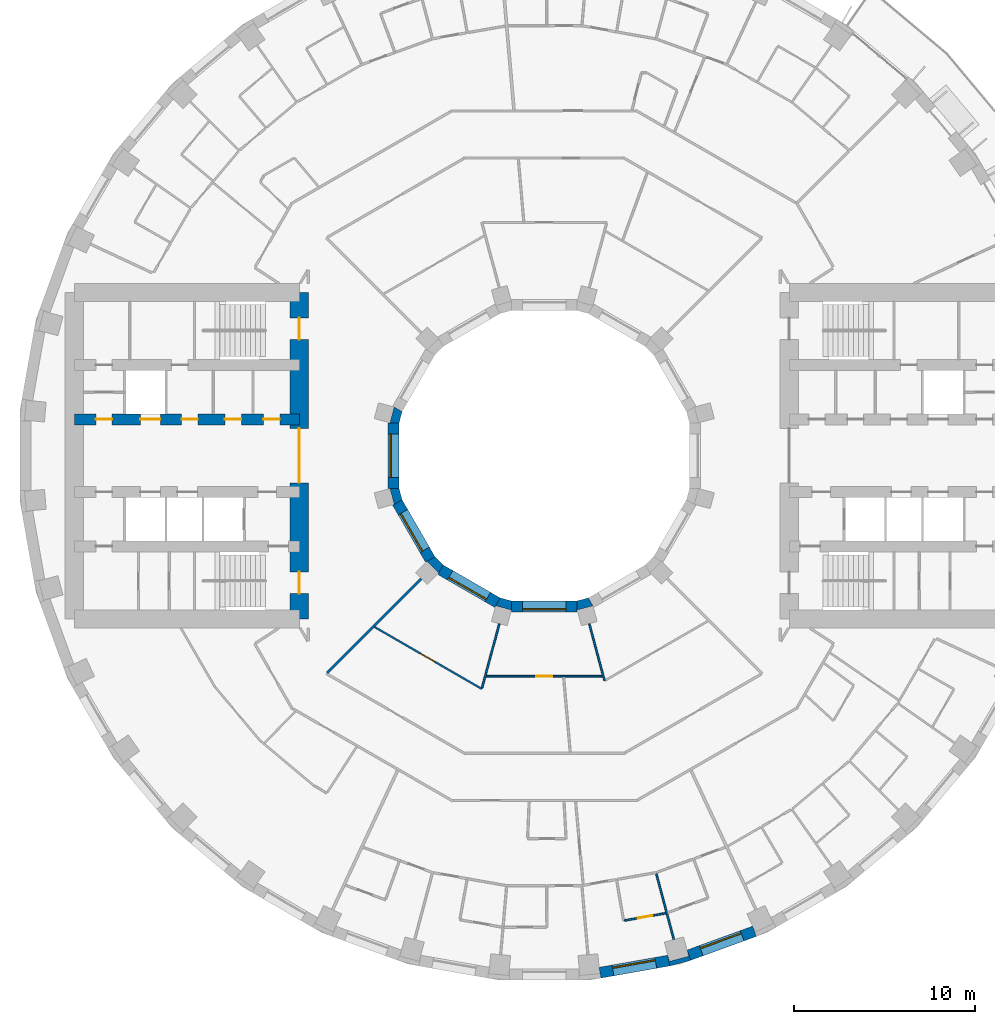
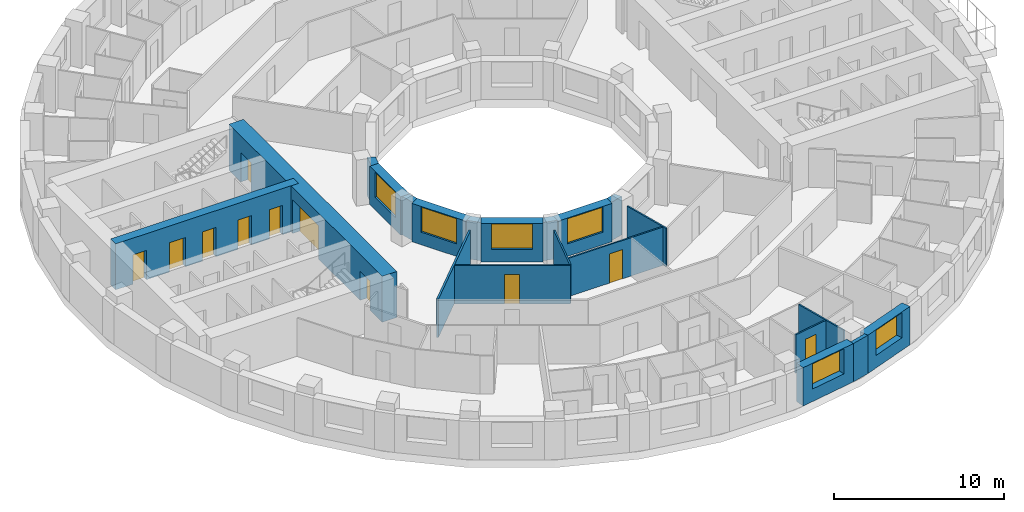
# One storey, part 6 of 15: 21 walls, 11 doors, 6 windows, 17 openings.
"""IFC4 building model written with IfcOpenShell, lengths in metres."""

from ifc_helpers import new_model, si_unit, direction, frame, frame_2d, origin, place, context, subcontext, project, spatial, polyline, rectangle, outline, extrude, material, layer, layer_set, type_object, element, fill, save


model = new_model("IFC4")

# Units and contexts
model_context = context("Model", 3, precision=1e-05, world=origin(), true_north=direction((0.0, 1.0)))
body_context = subcontext(model_context, "Body", "Model", "MODEL_VIEW")
ifc_project = project(units=[si_unit("LENGTHUNIT", "METRE"), si_unit("AREAUNIT", "SQUARE_METRE"), si_unit("VOLUMEUNIT", "CUBIC_METRE"), si_unit("PLANEANGLEUNIT", "RADIAN"), si_unit("MASSUNIT", "GRAM", prefix="KILO")], contexts=[model_context])

# Site, building, storey
site_placement = place(None, origin())
site = spatial("IfcSite", under=ifc_project, at=site_placement, CompositionType="ELEMENT")
building_placement = place(site_placement, origin())
building = spatial("IfcBuilding", under=site, at=building_placement, Name="Saqina Gate Tower", CompositionType="ELEMENT")
storey_placement = place(building_placement, frame((0.0, 0.0, 62.60009765625)))
storey = spatial("IfcBuildingStorey", under=building, at=storey_placement, Name="L17", CompositionType="ELEMENT", Elevation=62.60009765625)

# Wall
ifc_material_1 = material(Name="Brick masonry (red)", Category="masonry")
wall_type_1 = type_object("IfcWallType", Name="BRICK PIER COPING RED", PredefinedType="SOLIDWALL", material=ifc_material_1)
wall_1_placement = place(storey_placement, origin())
element("IfcWall", 1, at=wall_1_placement, inside=storey, type_object=wall_type_1, Name="Pier cap L17 column 29", PredefinedType="SOLIDWALL", context=body_context, shape_type="SweptSolid", body=[
    extrude(outline(polyline([(6.910400390625, -28.11669921875), (8.073974609375, -27.80517578125), (7.86865234375, -27.2412109375), (7.95947265625, -27.57958984375), (6.896728515625, -27.864501953125), (6.80615234375, -27.52587890625), (6.910400390625, -28.11669921875)])), origin(), (0.0, 0.0, 1.0), 2.75),
])

# Wall, opening, window
ifc_material_2 = material(Name="Brick masonry (red)", Category="masonry")
ifc_layer_1 = layer(ifc_material_2, 0.60009765625)
ifc_layer_set_1 = layer_set([ifc_layer_1], Name="FW-BRICK-RED")
wall_type_2 = type_object("IfcWallType", Name="FW-BRICK-RED", PredefinedType="SOLIDWALL", material=ifc_layer_set_1)
wall_2_placement = place(storey_placement, frame((3.07080078125, -28.4892578125, 0.0), z_axis=(0.0, 0.0, 1.0), x_axis=(0.984800809218, 0.173687553279, 0.0)))
wall_2 = element("IfcWall", 2, at=wall_2_placement, inside=storey, type_object=wall_type_2, Name="Facade wall L17 facet 28", PredefinedType="SOLIDWALL", context=body_context, shape_type="SweptSolid", body=[
    extrude(rectangle(XDim=3.845703125, YDim=0.60009765625, at=frame_2d((1.9228515625, 0.0))), origin(), (0.0, 0.0, 1.0), 2.75),
])
opening_1_placement = place(wall_2_placement, frame((0.722900390625, 0.0, 0.89990234375)))
opening_1 = element("IfcOpeningElement", 3, at=opening_1_placement, cuts=wall_2, Name="Opening G04-W18", PredefinedType="OPENING", context=body_context, shape_type="SweptSolid", body=[
    extrude(rectangle(XDim=2.39990234375, YDim=1.800048828125, at=frame_2d((1.199951171875, 0.89990234375))), frame((0.0, 0.31201171875, 0.0), z_axis=(0.0, -1.0, 0.0), x_axis=(1.0, 0.0, 0.0)), (0.0, 0.0, 1.0), 0.6240234375),
])
ifc_material_3 = material(Name="Aluminium glazing", Category="aluminium")
window_type_1 = type_object("IfcWindowType", Name="WN-A", PartitioningType="SINGLE_PANEL", PredefinedType="WINDOW", material=ifc_material_3)
window_1_placement = place(opening_1_placement, origin())
window_1 = element("IfcWindow", 4, at=window_1_placement, inside=storey, type_object=window_type_1, Name="Window L17 facet 28", OverallHeight=1.800048828125, OverallWidth=2.39990234375, PartitioningType="SINGLE_PANEL", PredefinedType="WINDOW", context=body_context, shape_type="SweptSolid", body=[
    extrude(rectangle(XDim=2.39990234375, YDim=1.800048828125, at=frame_2d((1.199951171875, 0.89990234375))), frame((0.0, 0.179931640625, 0.0), z_axis=(0.0, -1.0, 0.0), x_axis=(1.0, 0.0, 0.0)), (0.0, 0.0, 1.0), 0.06005859375),
])
fill(opening_1, window_1)

wall_3_placement = place(storey_placement, frame((7.97119140625, -27.523193359375, 0.0), z_axis=(0.0, 0.0, 1.0), x_axis=(0.939689588564, 0.342028474173, 0.0)))
wall_3 = element("IfcWall", 5, at=wall_3_placement, inside=storey, type_object=wall_type_2, Name="Facade wall L17 facet 29", PredefinedType="SOLIDWALL", context=body_context, shape_type="SweptSolid", body=[
    extrude(rectangle(XDim=3.845947265625, YDim=0.60009765625, at=frame_2d((1.9228515625, 0.0))), origin(), (0.0, 0.0, 1.0), 2.75),
])
opening_2_placement = place(wall_3_placement, frame((0.722900390625, 0.0, 0.89990234375)))
opening_2 = element("IfcOpeningElement", 6, at=opening_2_placement, cuts=wall_3, Name="Opening G04-W19", PredefinedType="OPENING", context=body_context, shape_type="SweptSolid", body=[
    extrude(rectangle(XDim=2.39990234375, YDim=1.800048828125, at=frame_2d((1.199951171875, 0.89990234375))), frame((0.0, 0.31201171875, 0.0), z_axis=(0.0, -1.0, 0.0), x_axis=(1.0, 0.0, 0.0)), (0.0, 0.0, 1.0), 0.6240234375),
])
window_2_placement = place(opening_2_placement, origin())
window_2 = element("IfcWindow", 7, at=window_2_placement, inside=storey, type_object=window_type_1, Name="Window L17 facet 29", OverallHeight=1.800048828125, OverallWidth=2.39990234375, PartitioningType="SINGLE_PANEL", PredefinedType="WINDOW", context=body_context, shape_type="SweptSolid", body=[
    extrude(rectangle(XDim=2.39990234375, YDim=1.800048828125, at=frame_2d((1.199951171875, 0.89990234375))), frame((0.0, 0.179931640625, 0.0), z_axis=(0.0, -1.0, 0.0), x_axis=(1.0, 0.0, 0.0)), (0.0, 0.0, 1.0), 0.06005859375),
])
fill(opening_2, window_2)

ifc_material_4 = material(Name="Glazed ceramic tile", Category="ceramic")
ifc_layer_2 = layer(ifc_material_4, 0.60009765625)
ifc_layer_set_2 = layer_set([ifc_layer_2], Name="IW-TILE")
wall_type_3 = type_object("IfcWallType", Name="IW-TILE", PredefinedType="SOLIDWALL", material=ifc_layer_set_2)
wall_4_placement = place(storey_placement, frame((-8.300048828125, 1.8125, 0.0), z_axis=(0.0, 0.0, 1.0), x_axis=(0.0, -1.0, 0.0)))
wall_4 = element("IfcWall", 8, at=wall_4_placement, inside=storey, type_object=wall_type_3, Name="Well wall L17 facet 6", PredefinedType="SOLIDWALL", context=body_context, shape_type="SweptSolid", body=[
    extrude(rectangle(XDim=3.625, YDim=0.60009765625, at=frame_2d((1.8125, 0.0))), origin(), (0.0, 0.0, 1.0), 2.75),
])
opening_3_placement = place(wall_4_placement, frame((0.612548828125, 0.0, 0.89990234375)))
opening_3 = element("IfcOpeningElement", 9, at=opening_3_placement, cuts=wall_4, Name="Opening G04-W29", PredefinedType="OPENING", context=body_context, shape_type="SweptSolid", body=[
    extrude(rectangle(XDim=2.39990234375, YDim=1.800048828125, at=frame_2d((1.199951171875, 0.89990234375))), frame((0.0, 0.31201171875, 0.0), z_axis=(0.0, -1.0, 0.0), x_axis=(1.0, 0.0, 0.0)), (0.0, 0.0, 1.0), 0.6240234375),
])
ifc_material_5 = material(Name="Aluminium glazing", Category="aluminium")
window_type_2 = type_object("IfcWindowType", Name="WN-W", PartitioningType="SINGLE_PANEL", PredefinedType="WINDOW", material=ifc_material_5)
window_3_placement = place(opening_3_placement, origin())
window_3 = element("IfcWindow", 10, at=window_3_placement, inside=storey, type_object=window_type_2, Name="Well window L17 facet 6", OverallHeight=1.800048828125, OverallWidth=2.39990234375, PartitioningType="SINGLE_PANEL", PredefinedType="WINDOW", context=body_context, shape_type="SweptSolid", body=[
    extrude(rectangle(XDim=2.39990234375, YDim=1.800048828125, at=frame_2d((1.199951171875, 0.89990234375))), frame((0.0, -0.119873046875, 0.0), z_axis=(0.0, -1.0, 0.0), x_axis=(1.0, 0.0, 0.0)), (0.0, 0.0, 1.0), 0.06005859375),
])
fill(opening_3, window_3)

wall_5_placement = place(storey_placement, frame((-8.09423828125, -2.580322265625, 0.0), z_axis=(0.0, 0.0, 1.0), x_axis=(0.499992569217, -0.866029693906, 0.0)))
wall_5 = element("IfcWall", 11, at=wall_5_placement, inside=storey, type_object=wall_type_3, Name="Well wall L17 facet 7", PredefinedType="SOLIDWALL", context=body_context, shape_type="SweptSolid", body=[
    extrude(rectangle(XDim=3.625, YDim=0.60009765625, at=frame_2d((1.8125, 0.0))), origin(), (0.0, 0.0, 1.0), 2.75),
])
opening_4_placement = place(wall_5_placement, frame((0.612548828125, 0.0, 0.89990234375)))
opening_4 = element("IfcOpeningElement", 12, at=opening_4_placement, cuts=wall_5, Name="Opening G04-W30", PredefinedType="OPENING", context=body_context, shape_type="SweptSolid", body=[
    extrude(rectangle(XDim=2.39990234375, YDim=1.800048828125, at=frame_2d((1.199951171875, 0.89990234375))), frame((0.0, 0.31201171875, 0.0), z_axis=(0.0, -1.0, 0.0), x_axis=(1.0, 0.0, 0.0)), (0.0, 0.0, 1.0), 0.6240234375),
])
window_4_placement = place(opening_4_placement, origin())
window_4 = element("IfcWindow", 13, at=window_4_placement, inside=storey, type_object=window_type_2, Name="Well window L17 facet 7", OverallHeight=1.800048828125, OverallWidth=2.39990234375, PartitioningType="SINGLE_PANEL", PredefinedType="WINDOW", context=body_context, shape_type="SweptSolid", body=[
    extrude(rectangle(XDim=2.39990234375, YDim=1.800048828125, at=frame_2d((1.199951171875, 0.89990234375))), frame((0.0, -0.119873046875, 0.0), z_axis=(0.0, -1.0, 0.0), x_axis=(1.0, 0.0, 0.0)), (0.0, 0.0, 1.0), 0.06005859375),
])
fill(opening_4, window_4)

wall_6_placement = place(storey_placement, frame((-5.7197265625, -6.28173828125, 0.0), z_axis=(0.0, 0.0, 1.0), x_axis=(0.866029693906, -0.499992569217, 0.0)))
wall_6 = element("IfcWall", 14, at=wall_6_placement, inside=storey, type_object=wall_type_3, Name="Well wall L17 facet 8", PredefinedType="SOLIDWALL", context=body_context, shape_type="SweptSolid", body=[
    extrude(rectangle(XDim=3.625, YDim=0.60009765625, at=frame_2d((1.8125, 0.0))), origin(), (0.0, 0.0, 1.0), 2.75),
])
opening_5_placement = place(wall_6_placement, frame((0.612548828125, 0.0, 0.89990234375)))
opening_5 = element("IfcOpeningElement", 15, at=opening_5_placement, cuts=wall_6, Name="Opening G04-W31", PredefinedType="OPENING", context=body_context, shape_type="SweptSolid", body=[
    extrude(rectangle(XDim=2.39990234375, YDim=1.800048828125, at=frame_2d((1.199951171875, 0.89990234375))), frame((0.0, 0.31201171875, 0.0), z_axis=(0.0, -1.0, 0.0), x_axis=(1.0, 0.0, 0.0)), (0.0, 0.0, 1.0), 0.6240234375),
])
window_5_placement = place(opening_5_placement, origin())
window_5 = element("IfcWindow", 16, at=window_5_placement, inside=storey, type_object=window_type_2, Name="Well window L17 facet 8", OverallHeight=1.800048828125, OverallWidth=2.39990234375, PartitioningType="SINGLE_PANEL", PredefinedType="WINDOW", context=body_context, shape_type="SweptSolid", body=[
    extrude(rectangle(XDim=2.39990234375, YDim=1.800048828125, at=frame_2d((1.199951171875, 0.89990234375))), frame((0.0, -0.119873046875, 0.0), z_axis=(0.0, -1.0, 0.0), x_axis=(1.0, 0.0, 0.0)), (0.0, 0.0, 1.0), 0.06005859375),
])
fill(opening_5, window_5)

wall_7_placement = place(storey_placement, frame((-1.8125, -8.300048828125, 0.0), z_axis=(0.0, 0.0, 1.0), x_axis=(1.0, 0.0, 0.0)))
wall_7 = element("IfcWall", 17, at=wall_7_placement, inside=storey, type_object=wall_type_3, Name="Well wall L17 facet 9", PredefinedType="SOLIDWALL", context=body_context, shape_type="SweptSolid", body=[
    extrude(rectangle(XDim=3.625, YDim=0.60009765625, at=frame_2d((1.8125, 0.0))), origin(), (0.0, 0.0, 1.0), 2.75),
])
opening_6_placement = place(wall_7_placement, frame((0.612548828125, 0.0, 0.89990234375)))
opening_6 = element("IfcOpeningElement", 18, at=opening_6_placement, cuts=wall_7, Name="Opening G04-W32", PredefinedType="OPENING", context=body_context, shape_type="SweptSolid", body=[
    extrude(rectangle(XDim=2.39990234375, YDim=1.800048828125, at=frame_2d((1.199951171875, 0.89990234375))), frame((0.0, 0.31201171875, 0.0), z_axis=(0.0, -1.0, 0.0), x_axis=(1.0, 0.0, 0.0)), (0.0, 0.0, 1.0), 0.6240234375),
])
window_6_placement = place(opening_6_placement, origin())
window_6 = element("IfcWindow", 19, at=window_6_placement, inside=storey, type_object=window_type_2, Name="Well window L17 facet 9", OverallHeight=1.800048828125, OverallWidth=2.39990234375, PartitioningType="SINGLE_PANEL", PredefinedType="WINDOW", context=body_context, shape_type="SweptSolid", body=[
    extrude(rectangle(XDim=2.39990234375, YDim=1.800048828125, at=frame_2d((1.199951171875, 0.89990234375))), frame((0.0, -0.119873046875, 0.0), z_axis=(0.0, -1.0, 0.0), x_axis=(1.0, 0.0, 0.0)), (0.0, 0.0, 1.0), 0.06005859375),
])
fill(opening_6, window_6)

# Walls
ifc_material_6 = material(Name="Gypsum board on steel studs, 100 mm", Category="steel")
ifc_layer_3 = layer(ifc_material_6, 0.10009765625)
ifc_layer_set_3 = layer_set([ifc_layer_3], Name="PARTITION 100")
wall_type_4 = type_object("IfcWallType", Name="PARTITION 100", PredefinedType="PARTITIONING", material=ifc_layer_set_3)
wall_8_placement = place(storey_placement, frame((6.169189453125, -23.01806640625, 0.0), z_axis=(0.0, 0.0, 1.0), x_axis=(0.258074907141, -0.966124910301, 0.0)))
element("IfcWall", 20, at=wall_8_placement, inside=storey, type_object=wall_type_4, Name="PARTITION PW3-11", PredefinedType="PARTITIONING", context=body_context, shape_type="SweptSolid", body=[
    extrude(rectangle(XDim=3.759521484375, YDim=0.10009765625, at=frame_2d((1.8798828125, 0.0))), origin(), (0.0, 0.0, 1.0), 2.75),
])
wall_9_placement = place(storey_placement, frame((2.48291015625, -9.265380859375, 0.0), z_axis=(0.0, 0.0, 1.0), x_axis=(0.258716029799, -0.965953423269, 0.0)))
element("IfcWall", 21, at=wall_9_placement, inside=storey, type_object=wall_type_4, Name="PARTITION PW3-12", PredefinedType="PARTITIONING", context=body_context, shape_type="SweptSolid", body=[
    extrude(rectangle(XDim=3.245361328125, YDim=0.10009765625, at=frame_2d((1.62255859375, 0.0))), origin(), (0.0, 0.0, 1.0), 2.75),
])

# Wall, opening, door
wall_10_placement = place(storey_placement, frame((-9.352783203125, -9.438232421875, 0.0), z_axis=(0.0, 0.0, 1.0), x_axis=(0.866030680601, -0.499990860175, 0.0)))
wall_10 = element("IfcWall", 22, at=wall_10_placement, inside=storey, type_object=wall_type_4, Name="PARTITION PW3-40", PredefinedType="PARTITIONING", context=body_context, shape_type="SweptSolid", body=[
    extrude(rectangle(XDim=6.823974609375, YDim=0.10009765625, at=frame_2d((3.412109375, 0.0))), origin(), (0.0, 0.0, 1.0), 2.75),
])
opening_7_placement = place(wall_10_placement, frame((2.9306640625, 0.0, 0.0)))
opening_7 = element("IfcOpeningElement", 23, at=opening_7_placement, cuts=wall_10, Name="Opening G04-D40", PredefinedType="OPENING", context=body_context, shape_type="SweptSolid", body=[
    extrude(rectangle(XDim=0.89990234375, YDim=2.10009765625, at=frame_2d((0.449951171875, 1.050048828125))), frame((0.0, 0.06201171875, 0.0), z_axis=(0.0, -1.0, 0.0), x_axis=(1.0, 0.0, 0.0)), (0.0, 0.0, 1.0), 0.1240234375),
])
ifc_material_7 = material(Name="Timber door leaf, 900 mm", Category="wood")
door_type_1 = type_object("IfcDoorType", Name="DOOR 900 TIMBER", OperationType="SINGLE_SWING_LEFT", PredefinedType="DOOR", material=ifc_material_7)
door_1_placement = place(opening_7_placement, frame((0.89990234375, 0.0, 0.0), z_axis=(0.0, 0.0, 1.0), x_axis=(-1.0, 0.0, 0.0)))
door_1 = element("IfcDoor", 24, at=door_1_placement, inside=storey, type_object=door_type_1, Name="DOOR G04-D40", OperationType="SINGLE_SWING_RIGHT", OverallHeight=2.10009765625, OverallWidth=0.89990234375, PredefinedType="DOOR", context=body_context, shape_type="SweptSolid", body=[
    extrude(rectangle(XDim=0.89990234375, YDim=2.10009765625, at=frame_2d((0.449951171875, 1.050048828125))), frame((0.0, 0.02490234375, 0.0), z_axis=(0.0, -1.0, 0.0), x_axis=(1.0, 0.0, 0.0)), (0.0, 0.0, 1.0), 0.050048828125),
])
fill(opening_7, door_1)

wall_11_placement = place(storey_placement, frame((-3.205078125, -12.14990234375, 0.0), z_axis=(0.0, 0.0, 1.0), x_axis=(1.0, 0.0, 0.0)))
wall_11 = element("IfcWall", 25, at=wall_11_placement, inside=storey, type_object=wall_type_4, Name="PARTITION PW3-58", PredefinedType="PARTITIONING", context=body_context, shape_type="SweptSolid", body=[
    extrude(rectangle(XDim=6.4111328125, YDim=0.10009765625, at=frame_2d((3.20556640625, 0.0))), origin(), (0.0, 0.0, 1.0), 2.75),
])
opening_8_placement = place(wall_11_placement, frame((2.755615234375, 0.0, 0.0)))
opening_8 = element("IfcOpeningElement", 26, at=opening_8_placement, cuts=wall_11, Name="Opening G04-D48", PredefinedType="OPENING", context=body_context, shape_type="SweptSolid", body=[
    extrude(rectangle(XDim=0.89990234375, YDim=2.10009765625, at=frame_2d((0.449951171875, 1.050048828125))), frame((0.0, 0.06201171875, 0.0), z_axis=(0.0, -1.0, 0.0), x_axis=(1.0, 0.0, 0.0)), (0.0, 0.0, 1.0), 0.1240234375),
])
door_2_placement = place(opening_8_placement, frame((0.89990234375, 0.0, 0.0), z_axis=(0.0, 0.0, 1.0), x_axis=(-1.0, 0.0, 0.0)))
door_2 = element("IfcDoor", 27, at=door_2_placement, inside=storey, type_object=door_type_1, Name="DOOR G04-D48", OperationType="SINGLE_SWING_LEFT", OverallHeight=2.10009765625, OverallWidth=0.89990234375, PredefinedType="DOOR", context=body_context, shape_type="SweptSolid", body=[
    extrude(rectangle(XDim=0.89990234375, YDim=2.10009765625, at=frame_2d((0.449951171875, 1.050048828125))), frame((0.0, 0.02490234375, 0.0), z_axis=(0.0, -1.0, 0.0), x_axis=(1.0, 0.0, 0.0)), (0.0, 0.0, 1.0), 0.050048828125),
])
fill(opening_8, door_2)

wall_12_placement = place(storey_placement, frame((4.419189453125, -25.611328125, 0.0), z_axis=(0.0, 0.0, 1.0), x_axis=(0.984814280308, 0.173611155466, 0.0)))
wall_12 = element("IfcWall", 28, at=wall_12_placement, inside=storey, type_object=wall_type_4, Name="PARTITION PW3-63", PredefinedType="PARTITIONING", context=body_context, shape_type="SweptSolid", body=[
    extrude(rectangle(XDim=2.31884765625, YDim=0.10009765625, at=frame_2d((1.159423828125, 0.0))), origin(), (0.0, 0.0, 1.0), 2.75),
])
opening_9_placement = place(wall_12_placement, frame((0.759521484375, 0.0, 0.0)))
opening_9 = element("IfcOpeningElement", 29, at=opening_9_placement, cuts=wall_12, Name="Opening G04-D53", PredefinedType="OPENING", context=body_context, shape_type="SweptSolid", body=[
    extrude(rectangle(XDim=0.800048828125, YDim=2.10009765625, at=frame_2d((0.39990234375, 1.050048828125))), frame((0.0, 0.06201171875, 0.0), z_axis=(0.0, -1.0, 0.0), x_axis=(1.0, 0.0, 0.0)), (0.0, 0.0, 1.0), 0.1240234375),
])
ifc_material_8 = material(Name="Timber door leaf, 800 mm", Category="wood")
door_type_2 = type_object("IfcDoorType", Name="DOOR 800 TIMBER", OperationType="SINGLE_SWING_LEFT", PredefinedType="DOOR", material=ifc_material_8)
door_3_placement = place(opening_9_placement, frame((0.800048828125, 0.0, 0.0), z_axis=(0.0, 0.0, 1.0), x_axis=(-1.0, 0.0, 0.0)))
door_3 = element("IfcDoor", 30, at=door_3_placement, inside=storey, type_object=door_type_2, Name="DOOR G04-D53", OperationType="SINGLE_SWING_LEFT", OverallHeight=2.10009765625, OverallWidth=0.800048828125, PredefinedType="DOOR", context=body_context, shape_type="SweptSolid", body=[
    extrude(rectangle(XDim=0.800048828125, YDim=2.10009765625, at=frame_2d((0.39990234375, 1.050048828125))), frame((0.0, 0.02490234375, 0.0), z_axis=(0.0, -1.0, 0.0), x_axis=(1.0, 0.0, 0.0)), (0.0, 0.0, 1.0), 0.050048828125),
])
fill(opening_9, door_3)

# Walls
wall_13_placement = place(storey_placement, frame((-3.429931640625, -12.8017578125, 0.0), z_axis=(0.0, 0.0, 1.0), x_axis=(0.259334903776, 0.965787454714, 0.0)))
element("IfcWall", 31, at=wall_13_placement, inside=storey, type_object=wall_type_4, Name="PARTITION PW3-104", PredefinedType="PARTITIONING", context=body_context, shape_type="SweptSolid", body=[
    extrude(rectangle(XDim=3.6611328125, YDim=0.10009765625, at=frame_2d((1.83056640625, 0.0))), origin(), (0.0, 0.0, 1.0), 2.75),
])
ifc_material_9 = material(Name="Gypsum board on steel studs, 125 mm, fire rated", Category="steel")
ifc_layer_4 = layer(ifc_material_9, 0.125)
ifc_layer_set_4 = layer_set([ifc_layer_4], Name="PARTITION EI 30 125")
wall_type_5 = type_object("IfcWallType", Name="PARTITION EI 30 125", PredefinedType="PARTITIONING", material=ifc_layer_set_4)
wall_14_placement = place(storey_placement, frame((-11.9619140625, -11.9619140625, 0.0), z_axis=(0.0, 0.0, 1.0), x_axis=(0.707106781187, 0.707106781187, 0.0)))
element("IfcWall", 32, at=wall_14_placement, inside=storey, type_object=wall_type_5, Name="PARTITION PW1-41", PredefinedType="PARTITIONING", context=body_context, shape_type="SweptSolid", body=[
    extrude(rectangle(XDim=7.324462890625, YDim=0.125, at=frame_2d((3.662109375, 0.0))), origin(), (0.0, 0.0, 1.0), 2.75),
])

# Wall, openings, doors
ifc_material_10 = material(Name="Concrete C70/85", Category="concrete")
ifc_layer_5 = layer(ifc_material_10, 0.60009765625)
ifc_layer_set_5 = layer_set([ifc_layer_5], Name="Concrete C70/85")
wall_type_6 = type_object("IfcWallType", Name="STR-CORE WALL-A-I", PredefinedType="SHEAR", material=ifc_layer_set_5)
wall_15_placement = place(storey_placement, frame((-13.5, 2.0, 0.0), z_axis=(0.0, 0.0, 1.0), x_axis=(-1.0, 0.0, 0.0)))
wall_15 = element("IfcWall", 33, at=wall_15_placement, inside=storey, type_object=wall_type_6, Name="CORE WALL L17 W-L1", PredefinedType="SHEAR", context=body_context, shape_type="SweptSolid", body=[
    extrude(rectangle(XDim=12.39990234375, YDim=0.60009765625, at=frame_2d((6.199951171875, 0.0))), origin(), (0.0, 0.0, 1.0), 3.2998046875),
])
opening_10_placement = place(wall_15_placement, frame((7.64990234375, 0.0, 0.0)))
opening_10 = element("IfcOpeningElement", 34, at=opening_10_placement, cuts=wall_15, Name="Opening G04-LD5", PredefinedType="OPENING", context=body_context, shape_type="SweptSolid", body=[
    extrude(rectangle(XDim=1.10009765625, YDim=2.10009765625, at=frame_2d((0.550048828125, 1.050048828125))), frame((0.0, 0.31201171875, 0.0), z_axis=(0.0, -1.0, 0.0), x_axis=(1.0, 0.0, 0.0)), (0.0, 0.0, 1.0), 0.6240234375),
])
opening_11_placement = place(wall_15_placement, frame((1.075927734375, 0.0, 0.0)))
opening_11 = element("IfcOpeningElement", 35, at=opening_11_placement, cuts=wall_15, Name="Opening G04-D106", PredefinedType="OPENING", context=body_context, shape_type="SweptSolid", body=[
    extrude(rectangle(XDim=0.89990234375, YDim=2.10009765625, at=frame_2d((0.449951171875, 1.050048828125))), frame((0.0, 0.31201171875, 0.0), z_axis=(0.0, -1.0, 0.0), x_axis=(1.0, 0.0, 0.0)), (0.0, 0.0, 1.0), 0.6240234375),
])
opening_12_placement = place(wall_15_placement, frame((3.1962890625, 0.0, 0.0)))
opening_12 = element("IfcOpeningElement", 36, at=opening_12_placement, cuts=wall_15, Name="Opening G04-D107", PredefinedType="OPENING", context=body_context, shape_type="SweptSolid", body=[
    extrude(rectangle(XDim=0.89990234375, YDim=2.10009765625, at=frame_2d((0.449951171875, 1.050048828125))), frame((0.0, 0.31201171875, 0.0), z_axis=(0.0, -1.0, 0.0), x_axis=(1.0, 0.0, 0.0)), (0.0, 0.0, 1.0), 0.6240234375),
])
opening_13_placement = place(wall_15_placement, frame((5.59033203125, 0.0, 0.0)))
opening_13 = element("IfcOpeningElement", 37, at=opening_13_placement, cuts=wall_15, Name="Opening G04-D108", PredefinedType="OPENING", context=body_context, shape_type="SweptSolid", body=[
    extrude(rectangle(XDim=0.89990234375, YDim=2.10009765625, at=frame_2d((0.449951171875, 1.050048828125))), frame((0.0, 0.31201171875, 0.0), z_axis=(0.0, -1.0, 0.0), x_axis=(1.0, 0.0, 0.0)), (0.0, 0.0, 1.0), 0.6240234375),
])
opening_14_placement = place(wall_15_placement, frame((10.31005859375, 0.0, 0.0)))
opening_14 = element("IfcOpeningElement", 38, at=opening_14_placement, cuts=wall_15, Name="Opening G04-D109", PredefinedType="OPENING", context=body_context, shape_type="SweptSolid", body=[
    extrude(rectangle(XDim=0.89990234375, YDim=2.10009765625, at=frame_2d((0.449951171875, 1.050048828125))), frame((0.0, 0.31201171875, 0.0), z_axis=(0.0, -1.0, 0.0), x_axis=(1.0, 0.0, 0.0)), (0.0, 0.0, 1.0), 0.6240234375),
])
ifc_material_11 = material(Name="Stainless steel", Category="steel")
door_type_3 = type_object("IfcDoorType", Name="LANDING DOOR", OperationType="DOUBLE_DOOR_SLIDING", PredefinedType="DOOR", material=ifc_material_11)
door_4_placement = place(opening_10_placement, origin())
door_4 = element("IfcDoor", 39, at=door_4_placement, inside=storey, type_object=door_type_3, Name="LANDING DOOR LR4", OperationType="DOUBLE_DOOR_SLIDING", OverallHeight=2.10009765625, OverallWidth=1.10009765625, PredefinedType="DOOR", context=body_context, shape_type="SweptSolid", body=[
    extrude(rectangle(XDim=1.10009765625, YDim=2.10009765625, at=frame_2d((0.550048828125, 1.050048828125))), frame((0.0, 0.02490234375, 0.0), z_axis=(0.0, -1.0, 0.0), x_axis=(1.0, 0.0, 0.0)), (0.0, 0.0, 1.0), 0.050048828125),
])
fill(opening_10, door_4)
ifc_material_12 = material(Name="Steel-framed fire door leaf, EI 60", Category="steel")
door_type_4 = type_object("IfcDoorType", Name="SERVICE ROOM DOOR 900", OperationType="SINGLE_SWING_LEFT", PredefinedType="DOOR", material=ifc_material_12)
door_5_placement = place(opening_11_placement, frame((0.89990234375, 0.0, 0.0), z_axis=(0.0, 0.0, 1.0), x_axis=(-1.0, 0.0, 0.0)))
door_5 = element("IfcDoor", 40, at=door_5_placement, inside=storey, type_object=door_type_4, Name="L17-CD-W17", OperationType="SINGLE_SWING_LEFT", OverallHeight=2.10009765625, OverallWidth=0.89990234375, PredefinedType="DOOR", context=body_context, shape_type="SweptSolid", body=[
    extrude(rectangle(XDim=0.89990234375, YDim=2.10009765625, at=frame_2d((0.449951171875, 1.050048828125))), frame((0.0, 0.02490234375, 0.0), z_axis=(0.0, -1.0, 0.0), x_axis=(1.0, 0.0, 0.0)), (0.0, 0.0, 1.0), 0.050048828125),
])
fill(opening_11, door_5)
door_6_placement = place(opening_12_placement, frame((0.89990234375, 0.0, 0.0), z_axis=(0.0, 0.0, 1.0), x_axis=(-1.0, 0.0, 0.0)))
door_6 = element("IfcDoor", 41, at=door_6_placement, inside=storey, type_object=door_type_4, Name="L17-CD-W18", OperationType="SINGLE_SWING_RIGHT", OverallHeight=2.10009765625, OverallWidth=0.89990234375, PredefinedType="DOOR", context=body_context, shape_type="SweptSolid", body=[
    extrude(rectangle(XDim=0.89990234375, YDim=2.10009765625, at=frame_2d((0.449951171875, 1.050048828125))), frame((0.0, 0.02490234375, 0.0), z_axis=(0.0, -1.0, 0.0), x_axis=(1.0, 0.0, 0.0)), (0.0, 0.0, 1.0), 0.050048828125),
])
fill(opening_12, door_6)
door_7_placement = place(opening_13_placement, frame((0.89990234375, 0.0, 0.0), z_axis=(0.0, 0.0, 1.0), x_axis=(-1.0, 0.0, 0.0)))
door_7 = element("IfcDoor", 42, at=door_7_placement, inside=storey, type_object=door_type_4, Name="L17-CD-W19", OperationType="SINGLE_SWING_RIGHT", OverallHeight=2.10009765625, OverallWidth=0.89990234375, PredefinedType="DOOR", context=body_context, shape_type="SweptSolid", body=[
    extrude(rectangle(XDim=0.89990234375, YDim=2.10009765625, at=frame_2d((0.449951171875, 1.050048828125))), frame((0.0, 0.02490234375, 0.0), z_axis=(0.0, -1.0, 0.0), x_axis=(1.0, 0.0, 0.0)), (0.0, 0.0, 1.0), 0.050048828125),
])
fill(opening_13, door_7)
door_8_placement = place(opening_14_placement, frame((0.89990234375, 0.0, 0.0), z_axis=(0.0, 0.0, 1.0), x_axis=(-1.0, 0.0, 0.0)))
door_8 = element("IfcDoor", 43, at=door_8_placement, inside=storey, type_object=door_type_4, Name="L17-CD-W20", OperationType="SINGLE_SWING_LEFT", OverallHeight=2.10009765625, OverallWidth=0.89990234375, PredefinedType="DOOR", context=body_context, shape_type="SweptSolid", body=[
    extrude(rectangle(XDim=0.89990234375, YDim=2.10009765625, at=frame_2d((0.449951171875, 1.050048828125))), frame((0.0, 0.02490234375, 0.0), z_axis=(0.0, -1.0, 0.0), x_axis=(1.0, 0.0, 0.0)), (0.0, 0.0, 1.0), 0.050048828125),
])
fill(opening_14, door_8)

ifc_material_13 = material(Name="Concrete C70/85", Category="concrete")
ifc_layer_6 = layer(ifc_material_13, 1.0)
ifc_layer_set_6 = layer_set([ifc_layer_6], Name="Concrete C70/85")
wall_type_7 = type_object("IfcWallType", Name="STR-CORE WALL-A-O", PredefinedType="SHEAR", material=ifc_layer_set_6)
wall_16_placement = place(storey_placement, frame((-13.5, -9.0, 0.0), z_axis=(0.0, 0.0, 1.0), x_axis=(0.0, 1.0, 0.0)))
wall_16 = element("IfcWall", 44, at=wall_16_placement, inside=storey, type_object=wall_type_7, Name="CORE WALL L17 W-W1", PredefinedType="SHEAR", context=body_context, shape_type="SweptSolid", body=[
    extrude(rectangle(XDim=18.0, YDim=1.0, at=frame_2d((9.0, 0.0))), origin(), (0.0, 0.0, 1.0), 3.2998046875),
])
opening_15_placement = place(wall_16_placement, frame((15.39990234375, 0.0, 0.0)))
opening_15 = element("IfcOpeningElement", 45, at=opening_15_placement, cuts=wall_16, Name="Opening G04-D119", PredefinedType="OPENING", context=body_context, shape_type="SweptSolid", body=[
    extrude(rectangle(XDim=1.199951171875, YDim=2.10009765625, at=frame_2d((0.60009765625, 1.050048828125))), frame((0.0, 0.511962890625, 0.0), z_axis=(0.0, -1.0, 0.0), x_axis=(1.0, 0.0, 0.0)), (0.0, 0.0, 1.0), 1.02392578125),
])
opening_16_placement = place(wall_16_placement, frame((1.39990234375, 0.0, 0.0)))
opening_16 = element("IfcOpeningElement", 46, at=opening_16_placement, cuts=wall_16, Name="Opening G04-D120", PredefinedType="OPENING", context=body_context, shape_type="SweptSolid", body=[
    extrude(rectangle(XDim=1.199951171875, YDim=2.10009765625, at=frame_2d((0.60009765625, 1.050048828125))), frame((0.0, 0.511962890625, 0.0), z_axis=(0.0, -1.0, 0.0), x_axis=(1.0, 0.0, 0.0)), (0.0, 0.0, 1.0), 1.02392578125),
])
opening_17_placement = place(wall_16_placement, frame((7.5, 0.0, 0.0)))
opening_17 = element("IfcOpeningElement", 47, at=opening_17_placement, cuts=wall_16, Name="Opening G04-D121", PredefinedType="OPENING", context=body_context, shape_type="SweptSolid", body=[
    extrude(rectangle(XDim=3.0, YDim=2.39990234375, at=frame_2d((1.5, 1.199951171875))), frame((0.0, 0.511962890625, 0.0), z_axis=(0.0, -1.0, 0.0), x_axis=(1.0, 0.0, 0.0)), (0.0, 0.0, 1.0), 1.02392578125),
])
ifc_material_14 = material(Name="Steel", Category="steel")
door_type_5 = type_object("IfcDoorType", Name="FIRE DOOR EI 60", OperationType="SINGLE_SWING_LEFT", PredefinedType="DOOR", material=ifc_material_14)
door_9_placement = place(opening_15_placement, origin())
door_9 = element("IfcDoor", 48, at=door_9_placement, inside=storey, type_object=door_type_5, Name="L17-CD-W30", OperationType="SINGLE_SWING_RIGHT", OverallHeight=2.10009765625, OverallWidth=1.199951171875, PredefinedType="DOOR", context=body_context, shape_type="SweptSolid", body=[
    extrude(rectangle(XDim=1.199951171875, YDim=2.10009765625, at=frame_2d((0.60009765625, 1.050048828125))), frame((0.0, 0.02490234375, 0.0), z_axis=(0.0, -1.0, 0.0), x_axis=(1.0, 0.0, 0.0)), (0.0, 0.0, 1.0), 0.050048828125),
])
fill(opening_15, door_9)
door_10_placement = place(opening_16_placement, origin())
door_10 = element("IfcDoor", 49, at=door_10_placement, inside=storey, type_object=door_type_5, Name="L17-CD-W31", OperationType="SINGLE_SWING_LEFT", OverallHeight=2.10009765625, OverallWidth=1.199951171875, PredefinedType="DOOR", context=body_context, shape_type="SweptSolid", body=[
    extrude(rectangle(XDim=1.199951171875, YDim=2.10009765625, at=frame_2d((0.60009765625, 1.050048828125))), frame((0.0, 0.02490234375, 0.0), z_axis=(0.0, -1.0, 0.0), x_axis=(1.0, 0.0, 0.0)), (0.0, 0.0, 1.0), 0.050048828125),
])
fill(opening_16, door_10)
ifc_material_15 = material(Name="Steel and fire-resisting glass", Category="steel")
door_type_6 = type_object("IfcDoorType", Name="LOBBY SCREEN DOOR", OperationType="DOUBLE_DOOR_SLIDING", PredefinedType="DOOR", material=ifc_material_15)
door_11_placement = place(opening_17_placement, origin())
door_11 = element("IfcDoor", 50, at=door_11_placement, inside=storey, type_object=door_type_6, Name="L17-CD-W32", OperationType="DOUBLE_DOOR_SLIDING", OverallHeight=2.39990234375, OverallWidth=3.0, PredefinedType="DOOR", context=body_context, shape_type="SweptSolid", body=[
    extrude(rectangle(XDim=3.0, YDim=2.39990234375, at=frame_2d((1.5, 1.199951171875))), frame((0.0, 0.02490234375, 0.0), z_axis=(0.0, -1.0, 0.0), x_axis=(1.0, 0.0, 0.0)), (0.0, 0.0, 1.0), 0.050048828125),
])
fill(opening_17, door_11)

# Walls
ifc_material_16 = material(Name="Glazed ceramic tile", Category="ceramic")
wall_type_8 = type_object("IfcWallType", Name="TILE PIER COPING", PredefinedType="SOLIDWALL", material=ifc_material_16)
wall_17_placement = place(storey_placement, origin())
element("IfcWall", 51, at=wall_17_placement, inside=storey, type_object=wall_type_8, Name="Well pier cap L17 column 6", PredefinedType="SOLIDWALL", context=body_context, shape_type="SweptSolid", body=[
    extrude(outline(polyline([(-8.502685546875, 1.8125), (-8.0, 1.8125), (-7.83447265625, 2.430419921875), (-8.27001953125, 2.681884765625), (-8.502685546875, 1.8125)])), origin(), (0.0, 0.0, 1.0), 2.75),
])
wall_18_placement = place(storey_placement, origin())
element("IfcWall", 52, at=wall_18_placement, inside=storey, type_object=wall_type_8, Name="Well pier cap L17 column 7", PredefinedType="SOLIDWALL", context=body_context, shape_type="SweptSolid", body=[
    extrude(outline(polyline([(-8.27001953125, -2.681884765625), (-7.83447265625, -2.430419921875), (-8.0, -1.8125), (-8.502685546875, -1.8125), (-8.27001953125, -2.681884765625)])), origin(), (0.0, 0.0, 1.0), 2.75),
])
wall_19_placement = place(storey_placement, origin())
element("IfcWall", 53, at=wall_19_placement, inside=storey, type_object=wall_type_8, Name="Well pier cap L17 column 8", PredefinedType="SOLIDWALL", context=body_context, shape_type="SweptSolid", body=[
    extrude(outline(polyline([(-6.45751953125, -5.821044921875), (-5.821044921875, -6.45751953125), (-5.569580078125, -6.02197265625), (-6.02197265625, -5.569580078125), (-6.45751953125, -5.821044921875)])), origin(), (0.0, 0.0, 1.0), 2.75),
])
wall_20_placement = place(storey_placement, origin())
element("IfcWall", 54, at=wall_20_placement, inside=storey, type_object=wall_type_8, Name="Well pier cap L17 column 9", PredefinedType="SOLIDWALL", context=body_context, shape_type="SweptSolid", body=[
    extrude(outline(polyline([(-1.8125, -8.502685546875), (-1.8125, -8.0), (-2.430419921875, -7.83447265625), (-2.681884765625, -8.27001953125), (-1.8125, -8.502685546875)])), origin(), (0.0, 0.0, 1.0), 2.75),
])
wall_21_placement = place(storey_placement, origin())
element("IfcWall", 55, at=wall_21_placement, inside=storey, type_object=wall_type_8, Name="Well pier cap L17 column 10", PredefinedType="SOLIDWALL", context=body_context, shape_type="SweptSolid", body=[
    extrude(outline(polyline([(2.681884765625, -8.27001953125), (2.430419921875, -7.83447265625), (1.8125, -8.0), (1.8125, -8.502685546875), (2.681884765625, -8.27001953125)])), origin(), (0.0, 0.0, 1.0), 2.75),
])

save(model, "model.ifc")
